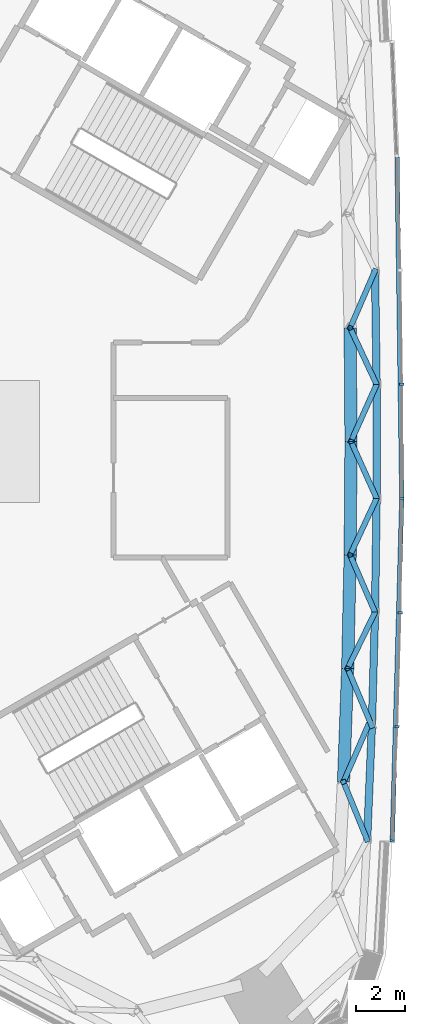
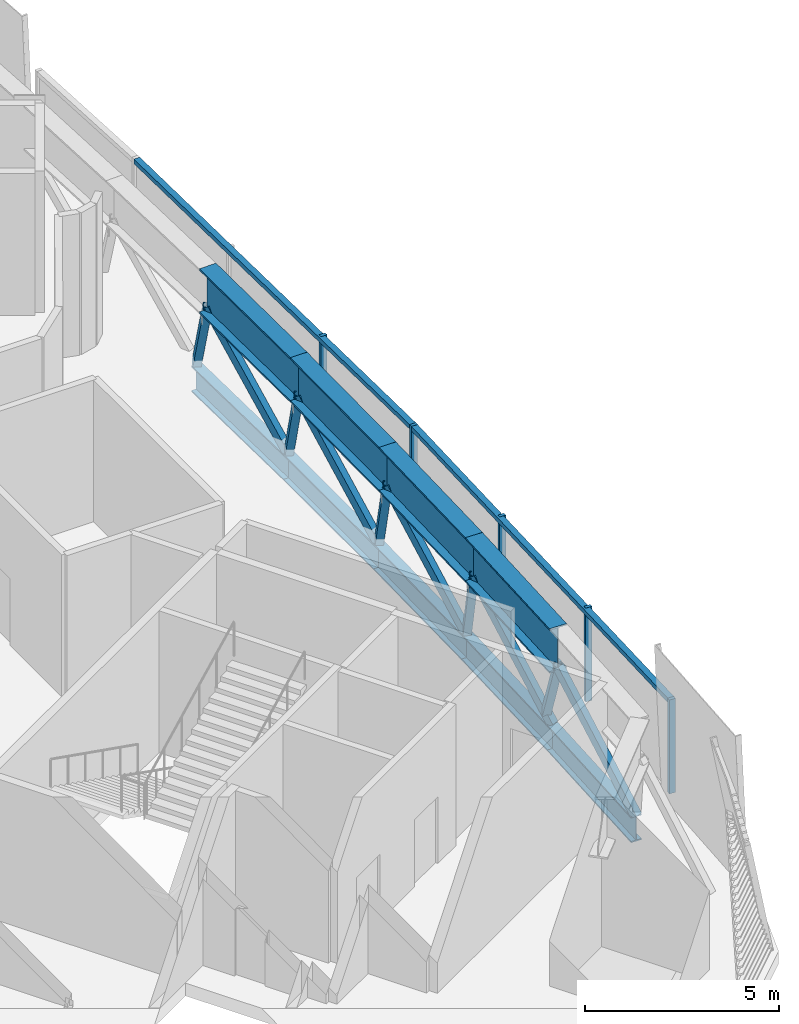
# One storey, part 2 of 18: 17 members, 9 beams, 1 element without a shape of its own.
"""IFC4 building model written with IfcOpenShell, lengths in metres."""

import ifcopenshell
import ifcopenshell.guid

model = None  # the IFC model being written
_history = None  # IfcOwnerHistory: only IFC2X3 demands one
_inside = {}  # id of a spatial element -> (the spatial element, [elements in it])
_under = {}  # id of a project, library or spatial element -> (it, [spatial elements below it])
_declared = {}  # id of a project -> (the project, [libraries it declares])
_typed = {}  # id of a type object -> (the type object, [elements of that type])
_made_of = {}  # id of a material, layer set ... -> (it, [elements and type objects made of it])


def new_model(schema):
    """Start an empty IFC model of exactly this schema.

    Asked for "IFC4X3", IfcOpenShell would pick the latest addendum, in which some entities
    have other attributes; the version numbers below select the first issue.
    IFC2X3 requires an IfcOwnerHistory on every rooted entity: one is made here for all.
    """
    global model, _history
    if schema == "IFC4X3":
        model = ifcopenshell.file(schema_version=(4, 3, 0, 0))
    else:
        model = ifcopenshell.file(schema=schema)
    _inside.clear()
    _under.clear()
    _declared.clear()
    _typed.clear()
    _made_of.clear()
    _history = None
    if model.schema == "IFC2X3":
        org = make("IfcOrganization", Name="unknown")
        user = make(
            "IfcPersonAndOrganization",
            ThePerson=make("IfcPerson", FamilyName="unknown"),
            TheOrganization=org,
        )
        app = make(
            "IfcApplication",
            ApplicationDeveloper=org,
            Version="unknown",
            ApplicationFullName="unknown",
            ApplicationIdentifier="unknown",
        )
        _history = make(
            "IfcOwnerHistory",
            OwningUser=user,
            OwningApplication=app,
            ChangeAction="ADDED",
            CreationDate=0,
        )
    return model


def make(cls, **values):
    """One entity of the class cls with the attributes given. An attribute that is None is left unset."""
    return model.create_entity(
        cls, **{name: value for name, value in values.items() if value is not None}
    )


def rooted(cls, **values):
    """An entity with a GlobalId (a new one), such as an element, a storey or a relation."""
    return make(cls, GlobalId=ifcopenshell.guid.new(), OwnerHistory=_history, **values)


def si_unit(unit_type, name, prefix=None):
    """IfcSIUnit, for example si_unit("LENGTHUNIT", "METRE", prefix="MILLI")."""
    return make("IfcSIUnit", UnitType=unit_type, Prefix=prefix, Name=name)


def assignment(units):
    """IfcUnitAssignment: the units of a project."""
    return None if units is None else make("IfcUnitAssignment", Units=units)


def point(xyz):
    """IfcCartesianPoint."""
    return None if xyz is None else make("IfcCartesianPoint", Coordinates=xyz)


def direction(xyz):
    """IfcDirection."""
    return None if xyz is None else make("IfcDirection", DirectionRatios=xyz)


def frame(location, z_axis=None, x_axis=None):
    """IfcAxis2Placement3D, a coordinate frame: its origin and axes. An axis left out is left unset."""
    return make(
        "IfcAxis2Placement3D",
        Location=point(location),
        Axis=direction(z_axis),
        RefDirection=direction(x_axis),
    )


def frame_2d(location, x_axis=None):
    """IfcAxis2Placement2D, a coordinate frame in the plane: its origin and x axis."""
    return make(
        "IfcAxis2Placement2D", Location=point(location), RefDirection=direction(x_axis)
    )


def origin():
    """The frame at (0, 0, 0) with its axes left unset."""
    return frame((0.0, 0.0, 0.0))


def origin_2d():
    """The frame at (0, 0) in the plane with its x axis left unset."""
    return frame_2d((0.0, 0.0))


def place(relative_to, where):
    """IfcLocalPlacement: puts the frame where relative to a parent placement (None: the world)."""
    return make(
        "IfcLocalPlacement", PlacementRelTo=relative_to, RelativePlacement=where
    )


def context(
    kind, dimensions, precision=None, world=None, true_north=None, identifier=None
):
    """IfcGeometricRepresentationContext, for example the 3D "Model" context."""
    return make(
        "IfcGeometricRepresentationContext",
        ContextIdentifier=identifier,
        ContextType=kind,
        CoordinateSpaceDimension=dimensions,
        Precision=precision,
        WorldCoordinateSystem=world,
        TrueNorth=true_north,
    )


def subcontext(parent, identifier, kind, view, scale=None):
    """IfcGeometricRepresentationSubContext, for example "Body" below "Model"."""
    return make(
        "IfcGeometricRepresentationSubContext",
        ContextIdentifier=identifier,
        ContextType=kind,
        ParentContext=parent,
        TargetScale=scale,
        TargetView=view,
    )


def project(units=None, contexts=None):
    """IfcProject with its units and contexts."""
    return rooted(
        "IfcProject",
        Name="project",
        RepresentationContexts=contexts,
        UnitsInContext=assignment(units),
    )


def spatial(cls, under=None, at=None, **own):
    """A site, building, storey or space (cls), placed at a placement, below another one or the project."""
    s = rooted(cls, ObjectPlacement=at, **own)
    if under is not None:
        _under.setdefault(under.id(), (under, []))[1].append(s)
    return s


def profile(cls, at=None, kind="AREA", **sizes):
    """A parametric profile (cls). Its sizes go by their IFC names, for example OverallWidth=200.0."""
    return make(cls, ProfileType=kind, Position=at, **sizes)


def rectangle(**sizes):
    """IfcRectangleProfileDef."""
    return profile("IfcRectangleProfileDef", **sizes)


def hollow_rectangle(**sizes):
    """IfcRectangleHollowProfileDef."""
    return profile("IfcRectangleHollowProfileDef", **sizes)


def i_section(**sizes):
    """IfcIShapeProfileDef."""
    return profile("IfcIShapeProfileDef", **sizes)


def extrude(swept, where, along, depth):
    """IfcExtrudedAreaSolid: the profile swept, set in the frame where, extruded along a direction by depth."""
    return make(
        "IfcExtrudedAreaSolid",
        SweptArea=swept,
        Position=where,
        ExtrudedDirection=direction(along),
        Depth=depth,
    )


def shape(context_of_items, identifier, shape_type, items):
    """IfcShapeRepresentation: the items that make up one representation, for example the "Body"."""
    return make(
        "IfcShapeRepresentation",
        ContextOfItems=context_of_items,
        RepresentationIdentifier=identifier,
        RepresentationType=shape_type,
        Items=items,
    )


def material(Name=None, Category=None):
    """IfcMaterial."""
    return make("IfcMaterial", Name=Name, Category=Category)


def material_profile(
    of_material, cross_section, Name=None, Category=None, Priority=None
):
    """IfcMaterialProfile: a cross section and its material."""
    return make(
        "IfcMaterialProfile",
        Name=Name,
        Material=of_material,
        Profile=cross_section,
        Priority=Priority,
        Category=Category,
    )


def profile_set(profiles, Name=None, composite=None):
    """IfcMaterialProfileSet."""
    return make(
        "IfcMaterialProfileSet",
        Name=Name,
        MaterialProfiles=profiles,
        CompositeProfile=composite,
    )


def made_of(thing, what):
    """Note that an element or type object is made of a material, layer set ...; save() writes the relation."""
    if what is not None:
        _made_of.setdefault(what.id(), (what, []))[1].append(thing)
    return thing


def type_object(cls, material=None, **own):
    """A type object (cls), such as IfcWallType, which elements share."""
    return made_of(rooted(cls, **own), material)


def element(
    cls,
    number,
    at=None,
    inside=None,
    cuts=None,
    type_object=None,
    material=None,
    context=None,
    identifier="Body",
    shape_type=None,
    held_by="IfcProductDefinitionShape",
    body=None,
    shapes=None,
    **own,
):
    """One element of the class cls, such as IfcWall. Its Tag is "e" and its number.

    at: its placement. inside: the storey or other place that contains it. cuts: it is an
    opening in that element (IfcRelVoidsElement). A single representation is given by context,
    identifier, shape_type and body (its items); several are given by shapes. held_by: the class
    of the entity that holds the representations. save() writes the other relations.
    """
    e = rooted(cls, Tag="e%d" % number, ObjectPlacement=at, **own)
    if body is not None:
        shapes = [shape(context, identifier, shape_type, body)]
    if shapes is not None:
        e.Representation = make(held_by, Representations=shapes)
    if inside is not None:
        _inside.setdefault(inside.id(), (inside, []))[1].append(e)
    if cuts is not None:
        rooted(
            "IfcRelVoidsElement", RelatingBuildingElement=cuts, RelatedOpeningElement=e
        )
    if type_object is not None:
        _typed.setdefault(type_object.id(), (type_object, []))[1].append(e)
    return made_of(e, material)


def aggregate(whole, parts):
    """IfcRelAggregates: a whole, such as a stair, and the parts it consists of."""
    return rooted("IfcRelAggregates", RelatingObject=whole, RelatedObjects=parts)


def save(model, path):
    """Write the relations noted so far, then the file.

    IfcRelAggregates (storeys below a building ...), IfcRelContainedInSpatialStructure (elements
    in a storey), IfcRelDefinesByType, IfcRelAssociatesMaterial and IfcRelDeclares: one each for
    every whole, place, type object, material and project.
    """
    for whole, parts in _under.values():
        aggregate(whole, parts)
    for where, things in _inside.values():
        rooted(
            "IfcRelContainedInSpatialStructure",
            RelatedElements=things,
            RelatingStructure=where,
        )
    for kind, things in _typed.values():
        rooted("IfcRelDefinesByType", RelatedObjects=things, RelatingType=kind)
    for what, things in _made_of.values():
        rooted("IfcRelAssociatesMaterial", RelatedObjects=things, RelatingMaterial=what)
    for by, libraries in _declared.values():
        rooted("IfcRelDeclares", RelatingContext=by, RelatedDefinitions=libraries)
    model.write(path)


model = new_model("IFC4")

# Units and contexts
model_context = context("Model", 3, precision=1e-05, world=origin(), true_north=direction((0.0, 1.0)))
body_context = subcontext(model_context, "Body", "Model", "MODEL_VIEW")
ifc_project = project(units=[si_unit("LENGTHUNIT", "METRE"), si_unit("AREAUNIT", "SQUARE_METRE"), si_unit("VOLUMEUNIT", "CUBIC_METRE"), si_unit("PLANEANGLEUNIT", "RADIAN"), si_unit("MASSUNIT", "GRAM", prefix="KILO")], contexts=[model_context])

# Site, building, storey
site_placement = place(None, origin())
site = spatial("IfcSite", under=ifc_project, at=site_placement, CompositionType="ELEMENT")
building_placement = place(site_placement, origin())
building = spatial("IfcBuilding", under=site, at=building_placement, Name="Tamra Quay Hotel Tower", CompositionType="ELEMENT")
storey_placement = place(building_placement, frame((0.0, 0.0, 211.60009765625)))
storey = spatial("IfcBuildingStorey", under=building, at=storey_placement, Name="L53", CompositionType="ELEMENT", Elevation=211.60009765625)

# Members
ifc_material_1 = material(Name="Structural steel IS 2062 E350", Category="steel")
ifc_material_profile_1 = material_profile(ifc_material_1, hollow_rectangle(XDim=0.219970703125, YDim=0.219970703125, WallThickness=0.010009765625, at=origin_2d()), Name="SHS 220x220x10")
ifc_profile_set_1 = profile_set([ifc_material_profile_1], Name="Structural steel IS 2062 E350")
member_type_1 = type_object("IfcMemberType", Name="BELT BRACE SHS 220x220x10 Z4", PredefinedType="BRACE", material=ifc_profile_set_1)
member_1_placement = place(storey_placement, frame((17.326416015625, -16.2255859375, -0.400146484375), z_axis=(-0.218501483996, 0.534040889401, 0.81673583853), x_axis=(-0.925528606726, -0.378677696903, 0.0)))
element("IfcMember", 1, at=member_1_placement, inside=storey, type_object=member_type_1, Name="BR-L53-002", PredefinedType="BRACE", context=body_context, shape_type="SweptSolid", body=[
    extrude(hollow_rectangle(XDim=0.219970703125, YDim=0.219970703125, WallThickness=0.010009765625, at=origin_2d()), origin(), (0.0, 0.0, 1.0), 4.407958984375),
])
member_2_placement = place(storey_placement, frame((17.519287109375, -11.592041015625, -0.400146484375), z_axis=(-0.223760595546, 0.53156298942, 0.81692838374), x_axis=(-0.921669726135, -0.387975406343, 0.0)))
element("IfcMember", 2, at=member_2_placement, inside=storey, type_object=member_type_1, Name="BR-L53-003", PredefinedType="BRACE", context=body_context, shape_type="SweptSolid", body=[
    extrude(hollow_rectangle(XDim=0.219970703125, YDim=0.219970703125, WallThickness=0.010009765625, at=origin_2d()), origin(), (0.0, 0.0, 1.0), 4.406982421875),
])
member_3_placement = place(storey_placement, frame((17.648193359375, -6.955810546875, -0.400146484375), z_axis=(-0.252722656728, -0.519888189175, 0.815994809746), x_axis=(0.899368376917, -0.43719163144, 0.0)))
element("IfcMember", 3, at=member_3_placement, inside=storey, type_object=member_type_1, Name="BR-L53-004", PredefinedType="BRACE", context=body_context, shape_type="SweptSolid", body=[
    extrude(hollow_rectangle(XDim=0.219970703125, YDim=0.219970703125, WallThickness=0.010009765625, at=origin_2d()), origin(), (0.0, 0.0, 1.0), 4.411865234375),
])
member_4_placement = place(storey_placement, frame((17.648193359375, -6.955810546875, -0.400146484375), z_axis=(-0.229860992808, 0.528918510084, 0.816951120739), x_axis=(-0.917135716457, -0.398575058927, 0.0)))
element("IfcMember", 4, at=member_4_placement, inside=storey, type_object=member_type_1, Name="BR-L53-005", PredefinedType="BRACE", context=body_context, shape_type="SweptSolid", body=[
    extrude(hollow_rectangle(XDim=0.219970703125, YDim=0.219970703125, WallThickness=0.010009765625, at=origin_2d()), origin(), (0.0, 0.0, 1.0), 4.40673828125),
])
member_5_placement = place(storey_placement, frame((17.71240234375, -2.318603515625, -0.400146484375), z_axis=(-0.244299608894, -0.523095740078, 0.816509980225), x_axis=(0.906058137903, -0.423153223714, 0.0)))
element("IfcMember", 5, at=member_5_placement, inside=storey, type_object=member_type_1, Name="BR-L53-006", PredefinedType="BRACE", context=body_context, shape_type="SweptSolid", body=[
    extrude(hollow_rectangle(XDim=0.219970703125, YDim=0.219970703125, WallThickness=0.010009765625, at=origin_2d()), origin(), (0.0, 0.0, 1.0), 4.4091796875),
])
for number, where, z_axis, x_axis, name in (
    (6, (17.71240234375, -2.318603515625, -0.400146484375), (-0.236645029358, 0.526080955949, 0.816846348996), (-0.911980789639, -0.410232908638, 0.0), "BR-L53-007"),
    (7, (17.71240234375, 2.318603515625, -0.400146484375), (-0.236645029358, -0.526080955949, 0.816846348996), (0.911980789639, -0.410232908638, 0.0), "BR-L53-008"),
):
    element("IfcMember", number, at=place(storey_placement, frame(where, z_axis=z_axis, x_axis=x_axis)), inside=storey, type_object=member_type_1, Name=name, PredefinedType="BRACE", context=body_context, shape_type="SweptSolid", body=[
        extrude(hollow_rectangle(XDim=0.219970703125, YDim=0.219970703125, WallThickness=0.010009765625, at=origin_2d()), origin(), (0.0, 0.0, 1.0), 4.4072265625),
    ])
member_6_placement = place(storey_placement, frame((17.71240234375, 2.318603515625, -0.400146484375), z_axis=(-0.244299608894, 0.523095740078, 0.816509980225), x_axis=(-0.906058137903, -0.423153223714, 0.0)))
element("IfcMember", 8, at=member_6_placement, inside=storey, type_object=member_type_1, Name="BR-L53-009", PredefinedType="BRACE", context=body_context, shape_type="SweptSolid", body=[
    extrude(hollow_rectangle(XDim=0.219970703125, YDim=0.219970703125, WallThickness=0.010009765625, at=origin_2d()), origin(), (0.0, 0.0, 1.0), 4.4091796875),
])
member_7_placement = place(storey_placement, frame((17.648193359375, 6.955810546875, -0.400146484375), z_axis=(-0.229860992808, -0.528918510084, 0.816951120739), x_axis=(0.917135716457, -0.398575058927, 0.0)))
element("IfcMember", 9, at=member_7_placement, inside=storey, type_object=member_type_1, Name="BR-L53-010", PredefinedType="BRACE", context=body_context, shape_type="SweptSolid", body=[
    extrude(hollow_rectangle(XDim=0.219970703125, YDim=0.219970703125, WallThickness=0.010009765625, at=origin_2d()), origin(), (0.0, 0.0, 1.0), 4.40673828125),
])
member_8_placement = place(storey_placement, frame((17.439208984375, -11.401611328125, -0.11865234375), z_axis=(-0.251707375458, -0.577836060246, 0.776369038937), x_axis=(0.916794666619, -0.399358910328, 0.0)))
element("IfcMember", 10, at=member_8_placement, inside=storey, type_object=member_type_1, Name="BR-L53-051B", PredefinedType="BRACE", context=body_context, shape_type="SweptSolid", body=[
    extrude(hollow_rectangle(XDim=0.219970703125, YDim=0.219970703125, WallThickness=0.010009765625, at=origin_2d()), origin(), (0.0, 0.0, 1.0), 4.2744140625),
])

# Beams
ifc_material_profile_2 = material_profile(ifc_material_1, i_section(OverallWidth=0.302978515625, OverallDepth=0.81396484375, WebThickness=0.02099609375, FlangeThickness=0.0400390625, at=origin_2d()), Name="WPB 800x300x317")
ifc_profile_set_2 = profile_set([ifc_material_profile_2], Name="Structural steel IS 2062 E350")
beam_type_1 = type_object("IfcBeamType", Name="BELT CHORD WPB 800x300x317 Z4", PredefinedType="BEAM", material=ifc_profile_set_2)
beam_1_placement = place(storey_placement, frame((17.326416015625, -16.2255859375, -0.80712890625), z_axis=(0.041588940225, 0.999134805745, 0.0), x_axis=(-0.999134805745, 0.041588940225, 0.0)))
element("IfcBeam", 11, at=beam_1_placement, inside=storey, type_object=beam_type_1, Name="BM-CHB-L53-001", PredefinedType="BEAM", context=body_context, shape_type="SweptSolid", body=[
    extrude(i_section(OverallWidth=0.302978515625, OverallDepth=0.81396484375, WebThickness=0.02099609375, FlangeThickness=0.0400390625, at=origin_2d()), origin(), (0.0, 0.0, 1.0), 4.637451171875),
])
beam_2_placement = place(storey_placement, frame((17.519287109375, -11.592041015625, -0.80712890625), z_axis=(0.027793366414, 0.999613689774, 0.0), x_axis=(-0.999613689774, 0.027793366414, 0.0)))
element("IfcBeam", 12, at=beam_2_placement, inside=storey, type_object=beam_type_1, Name="BM-CHB-L53-002", PredefinedType="BEAM", context=body_context, shape_type="SweptSolid", body=[
    extrude(i_section(OverallWidth=0.302978515625, OverallDepth=0.81396484375, WebThickness=0.02099609375, FlangeThickness=0.0400390625, at=origin_2d()), origin(), (0.0, 0.0, 1.0), 4.637939453125),
])
beam_3_placement = place(storey_placement, frame((17.648193359375, -6.955810546875, -0.80712890625), z_axis=(0.013845150668, 0.999904151308, 0.0), x_axis=(-0.999904151308, 0.013845150668, 0.0)))
element("IfcBeam", 13, at=beam_3_placement, inside=storey, type_object=beam_type_1, Name="BM-CHB-L53-003", PredefinedType="BEAM", context=body_context, shape_type="SweptSolid", body=[
    extrude(i_section(OverallWidth=0.302978515625, OverallDepth=0.81396484375, WebThickness=0.02099609375, FlangeThickness=0.0400390625, at=origin_2d()), origin(), (0.0, 0.0, 1.0), 4.6376953125),
])
beam_4_placement = place(storey_placement, frame((17.71240234375, -2.318603515625, -0.80712890625), z_axis=(0.0, 1.0, 0.0), x_axis=(-1.0, 0.0, 0.0)))
element("IfcBeam", 14, at=beam_4_placement, inside=storey, type_object=beam_type_1, Name="BM-CHB-L53-004", PredefinedType="BEAM", context=body_context, shape_type="SweptSolid", body=[
    extrude(i_section(OverallWidth=0.302978515625, OverallDepth=0.81396484375, WebThickness=0.02099609375, FlangeThickness=0.0400390625, at=origin_2d()), origin(), (0.0, 0.0, 1.0), 4.63720703125),
])
beam_5_placement = place(storey_placement, frame((17.71240234375, 2.318603515625, -0.80712890625), z_axis=(-0.013845150668, 0.999904151308, 0.0), x_axis=(-0.999904151308, -0.013845150668, 0.0)))
element("IfcBeam", 15, at=beam_5_placement, inside=storey, type_object=beam_type_1, Name="BM-CHB-L53-005", PredefinedType="BEAM", context=body_context, shape_type="SweptSolid", body=[
    extrude(i_section(OverallWidth=0.302978515625, OverallDepth=0.81396484375, WebThickness=0.02099609375, FlangeThickness=0.0400390625, at=origin_2d()), origin(), (0.0, 0.0, 1.0), 4.6376953125),
])
ifc_material_profile_3 = material_profile(ifc_material_1, i_section(OverallWidth=0.5, OverallDepth=1.39990234375, WebThickness=0.02490234375, FlangeThickness=0.050048828125, at=origin_2d()), Name="WPG 1400x500x25x50")
ifc_profile_set_3 = profile_set([ifc_material_profile_3], Name="Structural steel IS 2062 E350")
beam_type_2 = type_object("IfcBeamType", Name="BELT TOP CHORD WPG 1400x500x25x50 Z4", PredefinedType="USERDEFINED", material=ifc_profile_set_3)
beam_6_placement = place(storey_placement, frame((16.36328125, -13.87158203125, 3.75), z_axis=(0.036738334249, 0.999324919532, 0.0), x_axis=(-0.999324919532, 0.036738334249, 0.0)))
element("IfcBeam", 16, at=beam_6_placement, inside=storey, type_object=beam_type_2, Name="BM-CHT-L53-001", ObjectType="TRANSFER GIRDER", PredefinedType="USERDEFINED", context=body_context, shape_type="SweptSolid", body=[
    extrude(i_section(OverallWidth=0.5, OverallDepth=1.39990234375, WebThickness=0.02490234375, FlangeThickness=0.050048828125, at=origin_2d()), origin(), (0.0, 0.0, 1.0), 4.625244140625),
])
beam_7_placement = place(storey_placement, frame((16.533203125, -9.24951171875, 3.75), z_axis=(0.022061992437, 0.999756604624, 0.0), x_axis=(-0.999756604624, 0.022061992437, 0.0)))
element("IfcBeam", 17, at=beam_7_placement, inside=storey, type_object=beam_type_2, Name="BM-CHT-L53-002", ObjectType="TRANSFER GIRDER", PredefinedType="USERDEFINED", context=body_context, shape_type="SweptSolid", body=[
    extrude(i_section(OverallWidth=0.5, OverallDepth=1.39990234375, WebThickness=0.02490234375, FlangeThickness=0.050048828125, at=origin_2d()), origin(), (0.0, 0.0, 1.0), 4.625732421875),
])
for number, where, z_axis, x_axis, name in (
    (18, (16.63525390625, -4.625, 3.75), (0.007390000903, 0.999972693571, 0.0), (-0.999972693571, 0.007390000903, 0.0), "BM-CHT-L53-003"),
    (19, (16.66943359375, 0.0, 3.75), (-0.007390000903, 0.999972693571, 0.0), (-0.999972693571, -0.007390000903, 0.0), "BM-CHT-L53-004"),
):
    element("IfcBeam", number, at=place(storey_placement, frame(where, z_axis=z_axis, x_axis=x_axis)), inside=storey, type_object=beam_type_2, Name=name, ObjectType="TRANSFER GIRDER", PredefinedType="USERDEFINED", context=body_context, shape_type="SweptSolid", body=[
        extrude(i_section(OverallWidth=0.5, OverallDepth=1.39990234375, WebThickness=0.02490234375, FlangeThickness=0.050048828125, at=origin_2d()), origin(), (0.0, 0.0, 1.0), 4.625244140625),
    ])

# Curtain wall, members
ifc_material_2 = material(Name="Aluminium 6063 anodised dark grey", Category="aluminium")
curtain_wall_type = type_object("IfcCurtainWallType", Name="CW1 CURTAIN WALL", PredefinedType="NOTDEFINED", material=ifc_material_2)
curtain_wall_placement = place(storey_placement, origin())
curtain_wall = element("IfcCurtainWall", 20, at=curtain_wall_placement, inside=storey, type_object=curtain_wall_type, Name="CW1 east face L53", PredefinedType="NOTDEFINED")
ifc_material_profile_4 = material_profile(ifc_material_2, rectangle(XDim=0.179931640625, YDim=0.10009765625, at=origin_2d()), Name="MULLION 100X180")
ifc_profile_set_4 = profile_set([ifc_material_profile_4], Name="Aluminium 6063 anodised dark grey")
member_type_2 = type_object("IfcMemberType", Name="MULLION CW1 Z4", PredefinedType="MULLION", material=ifc_profile_set_4)
member_9_placement = place(storey_placement, frame((18.350341796875, -16.27490234375, 0.0), z_axis=(0.0, 0.0, 1.0), x_axis=(0.998822694834, -0.048510043141, 0.0)))
member_9 = element("IfcMember", 21, at=member_9_placement, type_object=member_type_2, Name="CW1 mullion L53.E.1", PredefinedType="MULLION", context=body_context, shape_type="SweptSolid", body=[
    extrude(rectangle(XDim=0.179931640625, YDim=0.10009765625, at=origin_2d()), origin(), (0.0, 0.0, 1.0), 2.949951171875),
])
member_10_placement = place(storey_placement, frame((18.543701171875, -11.627197265625, 0.0), z_axis=(0.0, 0.0, 1.0), x_axis=(0.999398541761, -0.034677870833, 0.0)))
member_10 = element("IfcMember", 22, at=member_10_placement, type_object=member_type_2, Name="CW1 mullion L53.E.2", PredefinedType="MULLION", context=body_context, shape_type="SweptSolid", body=[
    extrude(rectangle(XDim=0.179931640625, YDim=0.10009765625, at=origin_2d()), origin(), (0.0, 0.0, 1.0), 2.949951171875),
])
member_11_placement = place(storey_placement, frame((18.6728515625, -6.9775390625, 0.0), z_axis=(0.0, 0.0, 1.0), x_axis=(0.999783235847, -0.020820214181, 0.0)))
member_11 = element("IfcMember", 23, at=member_11_placement, type_object=member_type_2, Name="CW1 mullion L53.E.3", PredefinedType="MULLION", context=body_context, shape_type="SweptSolid", body=[
    extrude(rectangle(XDim=0.179931640625, YDim=0.10009765625, at=origin_2d()), origin(), (0.0, 0.0, 1.0), 2.949951171875),
])
member_12_placement = place(storey_placement, frame((18.737548828125, -2.325927734375, 0.0), z_axis=(0.0, 0.0, 1.0), x_axis=(0.9999758971, -0.006942997814, 0.0)))
member_12 = element("IfcMember", 24, at=member_12_placement, type_object=member_type_2, Name="CW1 mullion L53.E.4", PredefinedType="MULLION", context=body_context, shape_type="SweptSolid", body=[
    extrude(rectangle(XDim=0.179931640625, YDim=0.10009765625, at=origin_2d()), origin(), (0.0, 0.0, 1.0), 2.949951171875),
])
member_13_placement = place(storey_placement, frame((18.737548828125, 2.325927734375, 0.0), z_axis=(0.0, 0.0, 1.0), x_axis=(0.9999758971, 0.006942997814, 0.0)))
member_13 = element("IfcMember", 25, at=member_13_placement, type_object=member_type_2, Name="CW1 mullion L53.E.5", PredefinedType="MULLION", context=body_context, shape_type="SweptSolid", body=[
    extrude(rectangle(XDim=0.179931640625, YDim=0.10009765625, at=origin_2d()), origin(), (0.0, 0.0, 1.0), 2.949951171875),
])
ifc_material_profile_5 = material_profile(ifc_material_2, rectangle(XDim=0.179931640625, YDim=0.139892578125, at=origin_2d()), Name="TRANSOM 180X140")
ifc_profile_set_5 = profile_set([ifc_material_profile_5], Name="Aluminium 6063 anodised dark grey")
member_type_3 = type_object("IfcMemberType", Name="TRANSOM CW1 Z4", PredefinedType="USERDEFINED", material=ifc_profile_set_5)
member_14_placement = place(storey_placement, frame((18.352294921875, -16.22509765625, 2.8798828125), z_axis=(0.027754350188, 0.999614773823, 0.0), x_axis=(-0.999614773823, 0.027754350188, 0.0)))
member_14 = element("IfcMember", 26, at=member_14_placement, type_object=member_type_3, Name="CW1 transom L53.E.1", ObjectType="TRANSOM", PredefinedType="USERDEFINED", context=body_context, shape_type="SweptSolid", body=[
    extrude(rectangle(XDim=0.179931640625, YDim=0.139892578125, at=origin_2d()), origin(), (0.0, 0.0, 1.0), 13.8544921875),
])
member_15_placement = place(storey_placement, frame((18.737548828125, -2.27587890625, 2.8798828125), z_axis=(-0.01388608128, 0.999903583725, 0.0), x_axis=(-0.999903583725, -0.01388608128, 0.0)))
member_15 = element("IfcMember", 27, at=member_15_placement, type_object=member_type_3, Name="CW1 transom L53.E.4", ObjectType="TRANSOM", PredefinedType="USERDEFINED", context=body_context, shape_type="SweptSolid", body=[
    extrude(rectangle(XDim=0.179931640625, YDim=0.139892578125, at=origin_2d()), origin(), (0.0, 0.0, 1.0), 13.854248046875),
])
aggregate(curtain_wall, [member_9, member_14, member_10, member_11, member_12, member_15, member_13])

save(model, "model.ifc")
